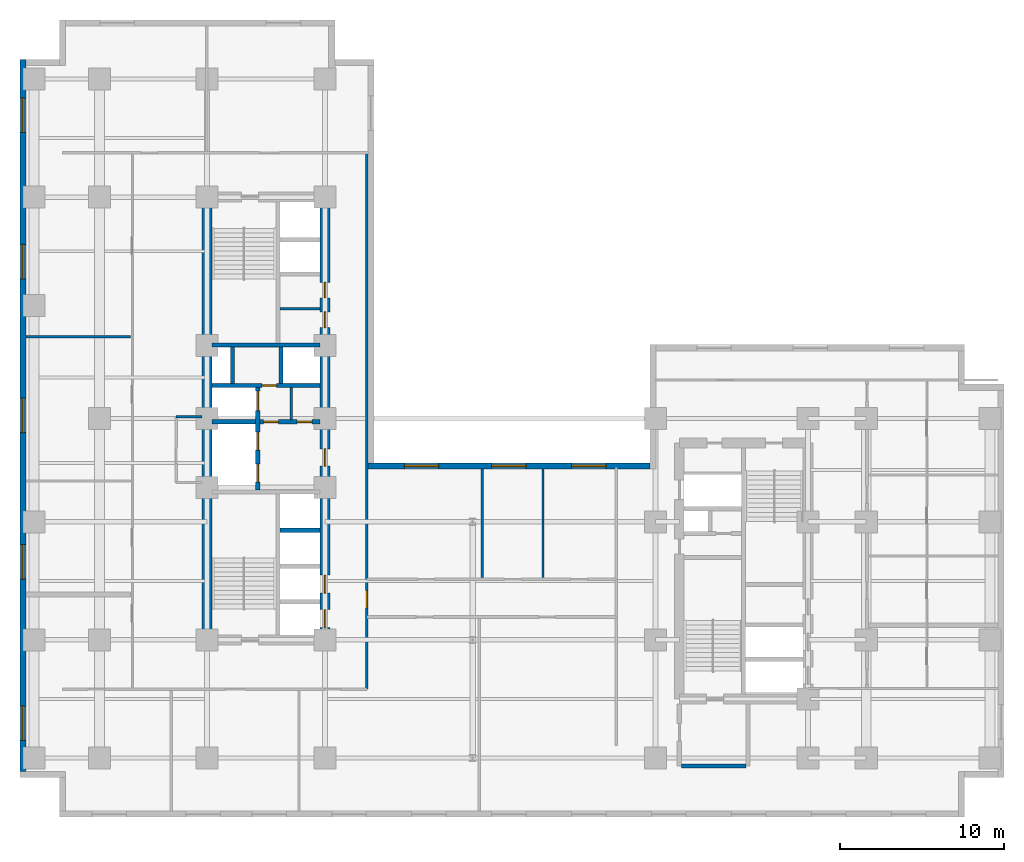
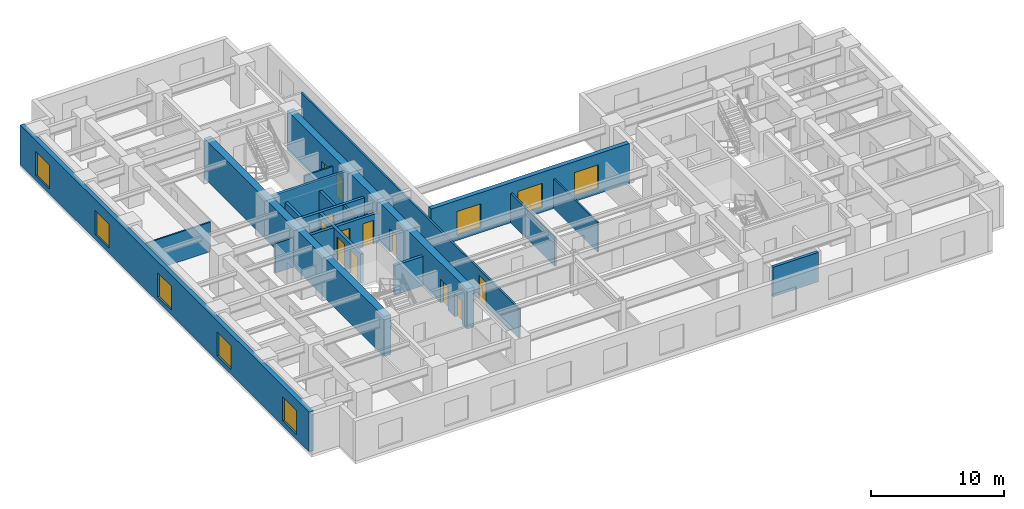
# One storey, part 4 of 10: 20 walls, 12 doors, 8 windows, 20 openings.
"""IFC4 building model written with IfcOpenShell, lengths in metres."""

from ifc_helpers import new_model, entity, si_unit, converted_unit, direction, frame, origin_with_axes, origin_2d_with_axis, place, context, subcontext, project, spatial, polyline, rectangle, outline, extrude, material, layer, layer_set, type_object, element, fill, save


model = new_model("IFC4")

# Units and contexts
model_context = context("Model", 3, precision=1e-05, world=origin_with_axes(), true_north=direction((0.0, 1.0)))
body_context = subcontext(model_context, "Body", "Model", "MODEL_VIEW")
ifc_project = project(units=[si_unit("LENGTHUNIT", "METRE"), si_unit("AREAUNIT", "SQUARE_METRE"), si_unit("VOLUMEUNIT", "CUBIC_METRE"), converted_unit("PLANEANGLEUNIT", "DEGREE", entity("IfcPlaneAngleMeasure", 0.017453292519943295), si_unit("PLANEANGLEUNIT", "RADIAN"), dimensions=[0, 0, 0, 0, 0, 0, 0]), si_unit("MASSUNIT", "GRAM", prefix="KILO"), si_unit("THERMODYNAMICTEMPERATUREUNIT", "KELVIN")], contexts=[model_context])

# Site, building, storey
site_placement = place(None, origin_with_axes())
site = spatial("IfcSite", under=ifc_project, at=site_placement, CompositionType="ELEMENT")
building_placement = place(site_placement, origin_with_axes())
building = spatial("IfcBuilding", under=site, at=building_placement, Name="Varnlund Millrace Tower", CompositionType="ELEMENT")
storey_placement = place(building_placement, frame((0.0, 0.0, 44.4), z_axis=(0.0, 0.0, 1.0), x_axis=(1.0, 0.0, 0.0)))
storey = spatial("IfcBuildingStorey", under=building, at=storey_placement, Name="L10", CompositionType="ELEMENT", Elevation=44.4)

# Wall
ifc_material_1 = material(Name="Concrete C80/95", Category="concrete")
ifc_layer_1 = layer(ifc_material_1, 0.6, Name="Concrete C80/95")
ifc_layer_set_1 = layer_set([ifc_layer_1], Name="Concrete C80/95")
wall_type_1 = type_object("IfcWallType", Name="Type-CoreWall-Shear-600-C80", PredefinedType="SHEAR", material=ifc_layer_set_1)
wall_1_placement = place(storey_placement, frame((11.4, 10.8, 0.0), z_axis=(0.0, 0.0, 1.0), x_axis=(0.0, 1.0, 0.0)))
element("IfcWall", 1, at=wall_1_placement, inside=storey, type_object=wall_type_1, Name="Type-CoreWall-Shear-600-C80", PredefinedType="SHEAR", context=body_context, shape_type="SweptSolid", body=[
    extrude(outline(polyline([(0.0, -0.3), (27.0, -0.3), (27.0, 0.3), (0.0, 0.3), (0.0, -0.3)])), origin_with_axes(), (0.0, 0.0, 1.0), 3.66),
])

# Wall, openings, doors
wall_2_placement = place(storey_placement, frame((18.6, 10.8, 0.0), z_axis=(0.0, 0.0, 1.0), x_axis=(0.0, 1.0, 0.0)))
wall_2 = element("IfcWall", 2, at=wall_2_placement, inside=storey, type_object=wall_type_1, Name="Type-CoreWall-Shear-600-C80", PredefinedType="SHEAR", context=body_context, shape_type="SweptSolid", body=[
    extrude(outline(polyline([(0.0, -0.3), (13.5, -0.3), (13.5, 0.3), (0.0, 0.3), (0.0, -0.3)])), origin_with_axes(), (0.0, 0.0, 1.0), 3.66),
])
opening_1_placement = place(wall_2_placement, frame((1.3, 0.0, 0.0), z_axis=(0.0, 0.0, 1.0), x_axis=(1.0, 0.0, 0.0)))
opening_1 = element("IfcOpeningElement", 3, at=opening_1_placement, cuts=wall_2, Name="Opening L10:LD-ELV-L1", PredefinedType="OPENING", context=body_context, shape_type="SweptSolid", body=[
    extrude(rectangle(XDim=1.1, YDim=0.62, at=origin_2d_with_axis()), origin_with_axes(), (0.0, 0.0, 1.0), 2.15),
])
opening_2_placement = place(wall_2_placement, frame((3.4, 0.0, 0.0), z_axis=(0.0, 0.0, 1.0), x_axis=(1.0, 0.0, 0.0)))
opening_2 = element("IfcOpeningElement", 4, at=opening_2_placement, cuts=wall_2, Name="Opening L10:LD-ELV-L2", PredefinedType="OPENING", context=body_context, shape_type="SweptSolid", body=[
    extrude(rectangle(XDim=1.1, YDim=0.62, at=origin_2d_with_axis()), origin_with_axes(), (0.0, 0.0, 1.0), 2.15),
])
opening_3_placement = place(wall_2_placement, frame((11.125, 0.0, 0.0), z_axis=(0.0, 0.0, 1.0), x_axis=(1.0, 0.0, 0.0)))
opening_3 = element("IfcOpeningElement", 5, at=opening_3_placement, cuts=wall_2, Name="Opening L10:DR-FFLOB-A", PredefinedType="OPENING", context=body_context, shape_type="SweptSolid", body=[
    extrude(rectangle(XDim=1.05, YDim=0.62, at=origin_2d_with_axis()), origin_with_axes(), (0.0, 0.0, 1.0), 2.15),
])
ifc_material_2 = material(Name="Smoke-barrier hollow steel fire door", Category="steel")
door_type_1 = type_object("IfcDoorType", Name="Type-FireDoor-Lobby-1050X2150", OperationType="NOTDEFINED", PredefinedType="DOOR", material=ifc_material_2)
door_1_placement = place(wall_2_placement, frame((11.125, 0.0, 0.0), z_axis=(0.0, 0.0, 1.0), x_axis=(1.0, 0.0, 0.0)))
door_1 = element("IfcDoor", 6, at=door_1_placement, inside=storey, type_object=door_type_1, Name="Type-FireDoor-Lobby-1050X2150", OperationType="SINGLE_SWING_LEFT", OverallHeight=2.15, OverallWidth=1.05, PredefinedType="DOOR", context=body_context, shape_type="SweptSolid", body=[
    extrude(rectangle(XDim=1.05, YDim=0.09, at=origin_2d_with_axis()), origin_with_axes(), (0.0, 0.0, 1.0), 2.15),
])
fill(opening_3, door_1)
ifc_material_3 = material(Name="Stainless and architectural bronze sliding landing door")
door_type_2 = type_object("IfcDoorType", Name="Type-LiftLandingDoor-1100X2150", OperationType="NOTDEFINED", PredefinedType="DOOR", material=ifc_material_3)
door_2_placement = place(wall_2_placement, frame((1.3, 0.0, 0.0), z_axis=(0.0, 0.0, 1.0), x_axis=(1.0, 0.0, 0.0)))
door_2 = element("IfcDoor", 7, at=door_2_placement, inside=storey, type_object=door_type_2, Name="Type-LiftLandingDoor-1100X2150", OperationType="SLIDING_TO_LEFT", OverallHeight=2.15, OverallWidth=1.1, PredefinedType="DOOR", context=body_context, shape_type="SweptSolid", body=[
    extrude(rectangle(XDim=1.1, YDim=0.09, at=origin_2d_with_axis()), origin_with_axes(), (0.0, 0.0, 1.0), 2.15),
])
fill(opening_1, door_2)
door_3_placement = place(wall_2_placement, frame((3.4, 0.0, 0.0), z_axis=(0.0, 0.0, 1.0), x_axis=(1.0, 0.0, 0.0)))
door_3 = element("IfcDoor", 8, at=door_3_placement, inside=storey, type_object=door_type_2, Name="Type-LiftLandingDoor-1100X2150", OperationType="SLIDING_TO_RIGHT", OverallHeight=2.15, OverallWidth=1.1, PredefinedType="DOOR", context=body_context, shape_type="SweptSolid", body=[
    extrude(rectangle(XDim=1.1, YDim=0.09, at=origin_2d_with_axis()), origin_with_axes(), (0.0, 0.0, 1.0), 2.15),
])
fill(opening_2, door_3)

wall_3_placement = place(storey_placement, frame((18.6, 24.3, 0.0), z_axis=(0.0, 0.0, 1.0), x_axis=(0.0, 1.0, 0.0)))
wall_3 = element("IfcWall", 9, at=wall_3_placement, inside=storey, type_object=wall_type_1, Name="Type-CoreWall-Shear-600-C80", PredefinedType="SHEAR", context=body_context, shape_type="SweptSolid", body=[
    extrude(outline(polyline([(0.0, -0.3), (13.5, -0.3), (13.5, 0.3), (0.0, 0.3), (0.0, -0.3)])), origin_with_axes(), (0.0, 0.0, 1.0), 3.66),
])
opening_4_placement = place(wall_3_placement, frame((6.025, 0.0, 0.0), z_axis=(0.0, 0.0, 1.0), x_axis=(1.0, 0.0, 0.0)))
opening_4 = element("IfcOpeningElement", 10, at=opening_4_placement, cuts=wall_3, Name="Opening L10:DR-CA-WC1", PredefinedType="OPENING", context=body_context, shape_type="SweptSolid", body=[
    extrude(rectangle(XDim=0.95, YDim=0.62, at=origin_2d_with_axis()), origin_with_axes(), (0.0, 0.0, 1.0), 2.15),
])
opening_5_placement = place(wall_3_placement, frame((7.825, 0.0, 0.0), z_axis=(0.0, 0.0, 1.0), x_axis=(1.0, 0.0, 0.0)))
opening_5 = element("IfcOpeningElement", 11, at=opening_5_placement, cuts=wall_3, Name="Opening L10:DR-CA-WC2", PredefinedType="OPENING", context=body_context, shape_type="SweptSolid", body=[
    extrude(rectangle(XDim=0.95, YDim=0.62, at=origin_2d_with_axis()), origin_with_axes(), (0.0, 0.0, 1.0), 2.15),
])
ifc_material_4 = material(Name="Fire-rated hollow steel core service door", Category="steel")
door_type_3 = type_object("IfcDoorType", Name="Type-FireDoor-Service-950X2150", OperationType="NOTDEFINED", PredefinedType="DOOR", material=ifc_material_4)
door_4_placement = place(wall_3_placement, frame((6.025, 0.0, 0.0), z_axis=(0.0, 0.0, 1.0), x_axis=(1.0, 0.0, 0.0)))
door_4 = element("IfcDoor", 12, at=door_4_placement, inside=storey, type_object=door_type_3, Name="Type-FireDoor-Service-950X2150", OperationType="SINGLE_SWING_RIGHT", OverallHeight=2.15, OverallWidth=0.95, PredefinedType="DOOR", context=body_context, shape_type="SweptSolid", body=[
    extrude(rectangle(XDim=0.95, YDim=0.09, at=origin_2d_with_axis()), origin_with_axes(), (0.0, 0.0, 1.0), 2.15),
])
fill(opening_4, door_4)
door_5_placement = place(wall_3_placement, frame((7.825, 0.0, 0.0), z_axis=(0.0, 0.0, 1.0), x_axis=(1.0, 0.0, 0.0)))
door_5 = element("IfcDoor", 13, at=door_5_placement, inside=storey, type_object=door_type_3, Name="Type-FireDoor-Service-950X2150", OperationType="SINGLE_SWING_RIGHT", OverallHeight=2.15, OverallWidth=0.95, PredefinedType="DOOR", context=body_context, shape_type="SweptSolid", body=[
    extrude(rectangle(XDim=0.95, YDim=0.09, at=origin_2d_with_axis()), origin_with_axes(), (0.0, 0.0, 1.0), 2.15),
])
fill(opening_5, door_5)

# Wall, openings, windows
ifc_material_5 = material(Name="Precast concrete C50/60", Category="concrete")
ifc_layer_2 = layer(ifc_material_5, 0.38, Name="Precast concrete C50/60")
ifc_layer_set_2 = layer_set([ifc_layer_2], Name="Precast concrete C50/60")
wall_type_2 = type_object("IfcWallType", Name="Type-ExtWall-Precast-Tube-380", PredefinedType="SOLIDWALL", material=ifc_layer_set_2)
wall_4_placement = place(storey_placement, frame((0.19, 2.78, 0.0), z_axis=(0.0, 0.0, 1.0), x_axis=(0.0, 1.0, 0.0)))
wall_4 = element("IfcWall", 14, at=wall_4_placement, inside=storey, type_object=wall_type_2, Name="Type-ExtWall-Precast-Tube-380", PredefinedType="SOLIDWALL", context=body_context, shape_type="SweptSolid", body=[
    extrude(outline(polyline([(0.0, -0.19), (43.42, -0.19), (43.42, 0.19), (0.0, 0.19), (0.0, -0.19)])), origin_with_axes(), (0.0, 0.0, 1.0), 3.66),
])
opening_6_placement = place(wall_4_placement, frame((2.946, 0.0, 0.45), z_axis=(0.0, 0.0, 1.0), x_axis=(1.0, 0.0, 0.0)))
opening_6 = element("IfcOpeningElement", 15, at=opening_6_placement, cuts=wall_4, Name="Opening L10:WN-16", PredefinedType="OPENING", context=body_context, shape_type="SweptSolid", body=[
    extrude(rectangle(XDim=2.1, YDim=0.4, at=origin_2d_with_axis()), origin_with_axes(), (0.0, 0.0, 1.0), 2.2),
])
opening_7_placement = place(wall_4_placement, frame((12.778, 0.0, 0.45), z_axis=(0.0, 0.0, 1.0), x_axis=(1.0, 0.0, 0.0)))
opening_7 = element("IfcOpeningElement", 16, at=opening_7_placement, cuts=wall_4, Name="Opening L10:WN-17", PredefinedType="OPENING", context=body_context, shape_type="SweptSolid", body=[
    extrude(rectangle(XDim=2.1, YDim=0.4, at=origin_2d_with_axis()), origin_with_axes(), (0.0, 0.0, 1.0), 2.2),
])
opening_8_placement = place(wall_4_placement, frame((21.71, 0.0, 0.45), z_axis=(0.0, 0.0, 1.0), x_axis=(1.0, 0.0, 0.0)))
opening_8 = element("IfcOpeningElement", 17, at=opening_8_placement, cuts=wall_4, Name="Opening L10:WN-18", PredefinedType="OPENING", context=body_context, shape_type="SweptSolid", body=[
    extrude(rectangle(XDim=2.1, YDim=0.4, at=origin_2d_with_axis()), origin_with_axes(), (0.0, 0.0, 1.0), 2.2),
])
opening_9_placement = place(wall_4_placement, frame((31.092, 0.0, 0.45), z_axis=(0.0, 0.0, 1.0), x_axis=(1.0, 0.0, 0.0)))
opening_9 = element("IfcOpeningElement", 18, at=opening_9_placement, cuts=wall_4, Name="Opening L10:WN-19", PredefinedType="OPENING", context=body_context, shape_type="SweptSolid", body=[
    extrude(rectangle(XDim=2.1, YDim=0.4, at=origin_2d_with_axis()), origin_with_axes(), (0.0, 0.0, 1.0), 2.2),
])
opening_10_placement = place(wall_4_placement, frame((40.024, 0.0, 0.45), z_axis=(0.0, 0.0, 1.0), x_axis=(1.0, 0.0, 0.0)))
opening_10 = element("IfcOpeningElement", 19, at=opening_10_placement, cuts=wall_4, Name="Opening L10:WN-20", PredefinedType="OPENING", context=body_context, shape_type="SweptSolid", body=[
    extrude(rectangle(XDim=2.1, YDim=0.4, at=origin_2d_with_axis()), origin_with_axes(), (0.0, 0.0, 1.0), 2.2),
])
ifc_material_6 = material(Name="Argon low-e triple glazing in thermally broken bronze frame", Category="glass")
window_type = type_object("IfcWindowType", Name="Type-Window-Punched-2100X2200", PartitioningType="SINGLE_PANEL", PredefinedType="WINDOW", material=ifc_material_6)
window_1_placement = place(wall_4_placement, frame((2.946, 0.0, 0.45), z_axis=(0.0, 0.0, 1.0), x_axis=(1.0, 0.0, 0.0)))
window_1 = element("IfcWindow", 20, at=window_1_placement, inside=storey, type_object=window_type, Name="Type-Window-Punched-2100X2200", OverallHeight=2.2, OverallWidth=2.1, PredefinedType="WINDOW", context=body_context, shape_type="SweptSolid", body=[
    extrude(rectangle(XDim=2.1, YDim=0.09, at=origin_2d_with_axis()), origin_with_axes(), (0.0, 0.0, 1.0), 2.2),
])
fill(opening_6, window_1)
window_2_placement = place(wall_4_placement, frame((12.778, 0.0, 0.45), z_axis=(0.0, 0.0, 1.0), x_axis=(1.0, 0.0, 0.0)))
window_2 = element("IfcWindow", 21, at=window_2_placement, inside=storey, type_object=window_type, Name="Type-Window-Punched-2100X2200", OverallHeight=2.2, OverallWidth=2.1, PredefinedType="WINDOW", context=body_context, shape_type="SweptSolid", body=[
    extrude(rectangle(XDim=2.1, YDim=0.09, at=origin_2d_with_axis()), origin_with_axes(), (0.0, 0.0, 1.0), 2.2),
])
fill(opening_7, window_2)
window_3_placement = place(wall_4_placement, frame((21.71, 0.0, 0.45), z_axis=(0.0, 0.0, 1.0), x_axis=(1.0, 0.0, 0.0)))
window_3 = element("IfcWindow", 22, at=window_3_placement, inside=storey, type_object=window_type, Name="Type-Window-Punched-2100X2200", OverallHeight=2.2, OverallWidth=2.1, PredefinedType="WINDOW", context=body_context, shape_type="SweptSolid", body=[
    extrude(rectangle(XDim=2.1, YDim=0.09, at=origin_2d_with_axis()), origin_with_axes(), (0.0, 0.0, 1.0), 2.2),
])
fill(opening_8, window_3)
window_4_placement = place(wall_4_placement, frame((31.092, 0.0, 0.45), z_axis=(0.0, 0.0, 1.0), x_axis=(1.0, 0.0, 0.0)))
window_4 = element("IfcWindow", 23, at=window_4_placement, inside=storey, type_object=window_type, Name="Type-Window-Punched-2100X2200", OverallHeight=2.2, OverallWidth=2.1, PredefinedType="WINDOW", context=body_context, shape_type="SweptSolid", body=[
    extrude(rectangle(XDim=2.1, YDim=0.09, at=origin_2d_with_axis()), origin_with_axes(), (0.0, 0.0, 1.0), 2.2),
])
fill(opening_9, window_4)
window_5_placement = place(wall_4_placement, frame((40.024, 0.0, 0.45), z_axis=(0.0, 0.0, 1.0), x_axis=(1.0, 0.0, 0.0)))
window_5 = element("IfcWindow", 24, at=window_5_placement, inside=storey, type_object=window_type, Name="Type-Window-Punched-2100X2200", OverallHeight=2.2, OverallWidth=2.1, PredefinedType="WINDOW", context=body_context, shape_type="SweptSolid", body=[
    extrude(rectangle(XDim=2.1, YDim=0.09, at=origin_2d_with_axis()), origin_with_axes(), (0.0, 0.0, 1.0), 2.2),
])
fill(opening_10, window_5)

wall_5_placement = place(storey_placement, frame((21.22, 21.41, 0.0), z_axis=(0.0, 0.0, 1.0), x_axis=(1.0, 0.0, 0.0)))
wall_5 = element("IfcWall", 25, at=wall_5_placement, inside=storey, type_object=wall_type_2, Name="Type-ExtWall-Precast-Tube-380", PredefinedType="SOLIDWALL", context=body_context, shape_type="SweptSolid", body=[
    extrude(outline(polyline([(0.0, -0.19), (17.18, -0.19), (17.18, 0.19), (0.0, 0.19), (0.0, -0.19)])), origin_with_axes(), (0.0, 0.0, 1.0), 3.66),
])
opening_11_placement = place(wall_5_placement, frame((3.263, 0.0, 0.45), z_axis=(0.0, 0.0, 1.0), x_axis=(1.0, 0.0, 0.0)))
opening_11 = element("IfcOpeningElement", 26, at=opening_11_placement, cuts=wall_5, Name="Opening L10:WN-24", PredefinedType="OPENING", context=body_context, shape_type="SweptSolid", body=[
    extrude(rectangle(XDim=2.1, YDim=0.4, at=origin_2d_with_axis()), origin_with_axes(), (0.0, 0.0, 1.0), 2.2),
])
opening_12_placement = place(wall_5_placement, frame((8.59, 0.0, 0.45), z_axis=(0.0, 0.0, 1.0), x_axis=(1.0, 0.0, 0.0)))
opening_12 = element("IfcOpeningElement", 27, at=opening_12_placement, cuts=wall_5, Name="Opening L10:WN-25", PredefinedType="OPENING", context=body_context, shape_type="SweptSolid", body=[
    extrude(rectangle(XDim=2.1, YDim=0.4, at=origin_2d_with_axis()), origin_with_axes(), (0.0, 0.0, 1.0), 2.2),
])
opening_13_placement = place(wall_5_placement, frame((13.467, 0.0, 0.45), z_axis=(0.0, 0.0, 1.0), x_axis=(1.0, 0.0, 0.0)))
opening_13 = element("IfcOpeningElement", 28, at=opening_13_placement, cuts=wall_5, Name="Opening L10:WN-26", PredefinedType="OPENING", context=body_context, shape_type="SweptSolid", body=[
    extrude(rectangle(XDim=2.1, YDim=0.4, at=origin_2d_with_axis()), origin_with_axes(), (0.0, 0.0, 1.0), 2.2),
])
window_6_placement = place(wall_5_placement, frame((3.263, 0.0, 0.45), z_axis=(0.0, 0.0, 1.0), x_axis=(1.0, 0.0, 0.0)))
window_6 = element("IfcWindow", 29, at=window_6_placement, inside=storey, type_object=window_type, Name="Type-Window-Punched-2100X2200", OverallHeight=2.2, OverallWidth=2.1, PredefinedType="WINDOW", context=body_context, shape_type="SweptSolid", body=[
    extrude(rectangle(XDim=2.1, YDim=0.09, at=origin_2d_with_axis()), origin_with_axes(), (0.0, 0.0, 1.0), 2.2),
])
fill(opening_11, window_6)
window_7_placement = place(wall_5_placement, frame((8.59, 0.0, 0.45), z_axis=(0.0, 0.0, 1.0), x_axis=(1.0, 0.0, 0.0)))
window_7 = element("IfcWindow", 30, at=window_7_placement, inside=storey, type_object=window_type, Name="Type-Window-Punched-2100X2200", OverallHeight=2.2, OverallWidth=2.1, PredefinedType="WINDOW", context=body_context, shape_type="SweptSolid", body=[
    extrude(rectangle(XDim=2.1, YDim=0.09, at=origin_2d_with_axis()), origin_with_axes(), (0.0, 0.0, 1.0), 2.2),
])
fill(opening_12, window_7)
window_8_placement = place(wall_5_placement, frame((13.467, 0.0, 0.45), z_axis=(0.0, 0.0, 1.0), x_axis=(1.0, 0.0, 0.0)))
window_8 = element("IfcWindow", 31, at=window_8_placement, inside=storey, type_object=window_type, Name="Type-Window-Punched-2100X2200", OverallHeight=2.2, OverallWidth=2.1, PredefinedType="WINDOW", context=body_context, shape_type="SweptSolid", body=[
    extrude(rectangle(XDim=2.1, YDim=0.09, at=origin_2d_with_axis()), origin_with_axes(), (0.0, 0.0, 1.0), 2.2),
])
fill(opening_13, window_8)

# Wall
ifc_material_7 = material(Name="Fire-rated gypsum board on cold-formed steel framing", Category="steel")
ifc_layer_3 = layer(ifc_material_7, 0.16, Name="Fire-rated gypsum board on cold-formed steel framing")
ifc_layer_set_3 = layer_set([ifc_layer_3], Name="Fire-rated gypsum board on cold-formed steel framing")
wall_type_3 = type_object("IfcWallType", Name="Type-Partition-Corridor-160", PredefinedType="PARTITIONING", material=ifc_layer_set_3)
wall_6_placement = place(storey_placement, frame((16.55, 24.22, 0.0), z_axis=(0.0, 0.0, 1.0), x_axis=(0.0, 1.0, 0.0)))
element("IfcWall", 32, at=wall_6_placement, inside=storey, type_object=wall_type_3, Name="Type-Partition-Corridor-160", PredefinedType="PARTITIONING", context=body_context, shape_type="SweptSolid", body=[
    extrude(outline(polyline([(0.0, -0.08), (1.98, -0.08), (1.98, 0.08), (0.0, 0.08), (0.0, -0.08)])), origin_with_axes(), (0.0, 0.0, 1.0), 2.7),
])

# Wall, opening, door
wall_7_placement = place(storey_placement, frame((21.15, 7.8, 0.0), z_axis=(0.0, 0.0, 1.0), x_axis=(0.0, 1.0, 0.0)))
wall_7 = element("IfcWall", 33, at=wall_7_placement, inside=storey, type_object=wall_type_3, Name="Type-Partition-Corridor-160", PredefinedType="PARTITIONING", context=body_context, shape_type="SweptSolid", body=[
    extrude(outline(polyline([(0.0, -0.08), (32.7, -0.08), (32.7, 0.08), (0.0, 0.08), (0.0, -0.08)])), origin_with_axes(), (0.0, 0.0, 1.0), 2.7),
])
opening_14_placement = place(wall_7_placement, frame((5.475, 0.0, 0.0), z_axis=(0.0, 0.0, 1.0), x_axis=(1.0, 0.0, 0.0)))
opening_14 = element("IfcOpeningElement", 34, at=opening_14_placement, cuts=wall_7, Name="Opening L10:DR-KN-W", PredefinedType="OPENING", context=body_context, shape_type="SweptSolid", body=[
    extrude(rectangle(XDim=1.05, YDim=0.18, at=origin_2d_with_axis()), origin_with_axes(), (0.0, 0.0, 1.0), 2.15),
])
door_6_placement = place(wall_7_placement, frame((5.475, 0.0, 0.0), z_axis=(0.0, 0.0, 1.0), x_axis=(1.0, 0.0, 0.0)))
door_6 = element("IfcDoor", 35, at=door_6_placement, inside=storey, type_object=door_type_1, Name="Type-FireDoor-Lobby-1050X2150", OperationType="SINGLE_SWING_LEFT", OverallHeight=2.15, OverallWidth=1.05, PredefinedType="DOOR", context=body_context, shape_type="SweptSolid", body=[
    extrude(rectangle(XDim=1.05, YDim=0.09, at=origin_2d_with_axis()), origin_with_axes(), (0.0, 0.0, 1.0), 2.15),
])
fill(opening_14, door_6)

# Walls
ifc_material_8 = material(Name="Acoustic STC-50 gypsum board partition", Category="gypsum")
ifc_layer_4 = layer(ifc_material_8, 0.15, Name="Acoustic STC-50 gypsum board partition")
ifc_layer_set_4 = layer_set([ifc_layer_4], Name="Acoustic STC-50 gypsum board partition")
wall_type_4 = type_object("IfcWallType", Name="Type-Partition-Demising-150", PredefinedType="PARTITIONING", material=ifc_layer_set_4)
wall_8_placement = place(storey_placement, frame((28.184, 14.62, 0.0), z_axis=(0.0, 0.0, 1.0), x_axis=(0.0, 1.0, 0.0)))
element("IfcWall", 36, at=wall_8_placement, inside=storey, type_object=wall_type_4, Name="Type-Partition-Demising-150", PredefinedType="PARTITIONING", context=body_context, shape_type="SweptSolid", body=[
    extrude(outline(polyline([(0.0, -0.075), (6.605, -0.075), (6.605, 0.075), (0.0, 0.075), (0.0, -0.075)])), origin_with_axes(), (0.0, 0.0, 1.0), 2.7),
])
ifc_material_9 = material(Name="Gypsum board tenant partition", Category="gypsum")
ifc_layer_5 = layer(ifc_material_9, 0.125, Name="Gypsum board tenant partition")
ifc_layer_set_5 = layer_set([ifc_layer_5], Name="Gypsum board tenant partition")
wall_type_5 = type_object("IfcWallType", Name="Type-Partition-Tenant-125", PredefinedType="PARTITIONING", material=ifc_layer_set_5)
wall_9_placement = place(storey_placement, frame((0.375, 29.287, 0.0), z_axis=(0.0, 0.0, 1.0), x_axis=(1.0, 0.0, 0.0)))
element("IfcWall", 37, at=wall_9_placement, inside=storey, type_object=wall_type_5, Name="Type-Partition-Tenant-125", PredefinedType="PARTITIONING", context=body_context, shape_type="SweptSolid", body=[
    extrude(outline(polyline([(0.0, -0.0625), (6.355, -0.0625), (6.355, 0.0625), (0.0, 0.0625), (0.0, -0.0625)])), origin_with_axes(), (0.0, 0.0, 1.0), 2.7),
])
wall_10_placement = place(storey_placement, frame((31.896, 14.62, 0.0), z_axis=(0.0, 0.0, 1.0), x_axis=(0.0, 1.0, 0.0)))
element("IfcWall", 38, at=wall_10_placement, inside=storey, type_object=wall_type_5, Name="Type-Partition-Tenant-125", PredefinedType="PARTITIONING", context=body_context, shape_type="SweptSolid", body=[
    extrude(outline(polyline([(0.0, -0.0625), (6.605, -0.0625), (6.605, 0.0625), (0.0, 0.0625), (0.0, -0.0625)])), origin_with_axes(), (0.0, 0.0, 1.0), 2.7),
])
ifc_material_10 = material(Name="Moisture-resistant gypsum restroom partition", Category="gypsum")
ifc_layer_6 = layer(ifc_material_10, 0.14, Name="Moisture-resistant gypsum restroom partition")
ifc_layer_set_6 = layer_set([ifc_layer_6], Name="Moisture-resistant gypsum restroom partition")
wall_type_6 = type_object("IfcWallType", Name="Type-Partition-Wet-140", PredefinedType="PARTITIONING", material=ifc_layer_set_6)
wall_11_placement = place(storey_placement, frame((15.84, 31.0, 0.0), z_axis=(0.0, 0.0, 1.0), x_axis=(1.0, 0.0, 0.0)))
element("IfcWall", 39, at=wall_11_placement, inside=storey, type_object=wall_type_6, Name="Type-Partition-Wet-140", PredefinedType="PARTITIONING", context=body_context, shape_type="SweptSolid", body=[
    extrude(outline(polyline([(0.0, -0.07), (2.46, -0.07), (2.46, 0.07), (0.0, 0.07), (0.0, -0.07)])), origin_with_axes(), (0.0, 0.0, 1.0), 2.7),
])
wall_12_placement = place(storey_placement, frame((9.52, 24.4, 0.0), z_axis=(0.0, 0.0, 1.0), x_axis=(1.0, 0.0, 0.0)))
element("IfcWall", 40, at=wall_12_placement, inside=storey, type_object=wall_type_6, Name="Type-Partition-Wet-140", PredefinedType="PARTITIONING", context=body_context, shape_type="SweptSolid", body=[
    extrude(outline(polyline([(0.0, -0.07), (1.58, -0.07), (1.58, 0.07), (0.0, 0.07), (0.0, -0.07)])), origin_with_axes(), (0.0, 0.0, 1.0), 2.7),
])

# Wall, openings, doors
ifc_material_11 = material(Name="Concrete C60/75", Category="concrete")
ifc_layer_7 = layer(ifc_material_11, 0.25, Name="Concrete C60/75")
ifc_layer_set_7 = layer_set([ifc_layer_7], Name="Concrete C60/75")
wall_type_7 = type_object("IfcWallType", Name="Type-ShaftWall-Fire-250", PredefinedType="SOLIDWALL", material=ifc_layer_set_7)
wall_13_placement = place(storey_placement, frame((14.5, 19.95, 0.0), z_axis=(0.0, 0.0, 1.0), x_axis=(0.0, 1.0, 0.0)))
wall_13 = element("IfcWall", 41, at=wall_13_placement, inside=storey, type_object=wall_type_7, Name="Type-ShaftWall-Fire-250", PredefinedType="SOLIDWALL", context=body_context, shape_type="SweptSolid", body=[
    extrude(outline(polyline([(0.0, -0.125), (6.25, -0.125), (6.25, 0.125), (0.0, 0.125), (0.0, -0.125)])), origin_with_axes(), (0.0, 0.0, 1.0), 2.7),
])
opening_15_placement = place(wall_13_placement, frame((1.025, 0.0, 0.0), z_axis=(0.0, 0.0, 1.0), x_axis=(1.0, 0.0, 0.0)))
opening_15 = element("IfcOpeningElement", 42, at=opening_15_placement, cuts=wall_13, Name="Opening L10:LD-FSAE1", PredefinedType="OPENING", context=body_context, shape_type="SweptSolid", body=[
    extrude(rectangle(XDim=1.1, YDim=0.27, at=origin_2d_with_axis()), origin_with_axes(), (0.0, 0.0, 1.0), 2.15),
])
opening_16_placement = place(wall_13_placement, frame((2.975, 0.0, 0.0), z_axis=(0.0, 0.0, 1.0), x_axis=(1.0, 0.0, 0.0)))
opening_16 = element("IfcOpeningElement", 43, at=opening_16_placement, cuts=wall_13, Name="Opening L10:LD-FSAE2", PredefinedType="OPENING", context=body_context, shape_type="SweptSolid", body=[
    extrude(rectangle(XDim=1.1, YDim=0.27, at=origin_2d_with_axis()), origin_with_axes(), (0.0, 0.0, 1.0), 2.15),
])
opening_17_placement = place(wall_13_placement, frame((5.425, 0.0, 0.0), z_axis=(0.0, 0.0, 1.0), x_axis=(1.0, 0.0, 0.0)))
opening_17 = element("IfcOpeningElement", 44, at=opening_17_placement, cuts=wall_13, Name="Opening L10:LD-SRV1", PredefinedType="OPENING", context=body_context, shape_type="SweptSolid", body=[
    extrude(rectangle(XDim=1.2, YDim=0.27, at=origin_2d_with_axis()), origin_with_axes(), (0.0, 0.0, 1.0), 2.15),
])
door_7_placement = place(wall_13_placement, frame((1.025, 0.0, 0.0), z_axis=(0.0, 0.0, 1.0), x_axis=(1.0, 0.0, 0.0)))
door_7 = element("IfcDoor", 45, at=door_7_placement, inside=storey, type_object=door_type_2, Name="Type-LiftLandingDoor-1100X2150", OperationType="SLIDING_TO_LEFT", OverallHeight=2.15, OverallWidth=1.1, PredefinedType="DOOR", context=body_context, shape_type="SweptSolid", body=[
    extrude(rectangle(XDim=1.1, YDim=0.09, at=origin_2d_with_axis()), origin_with_axes(), (0.0, 0.0, 1.0), 2.15),
])
fill(opening_15, door_7)
door_8_placement = place(wall_13_placement, frame((2.975, 0.0, 0.0), z_axis=(0.0, 0.0, 1.0), x_axis=(1.0, 0.0, 0.0)))
door_8 = element("IfcDoor", 46, at=door_8_placement, inside=storey, type_object=door_type_2, Name="Type-LiftLandingDoor-1100X2150", OperationType="SLIDING_TO_RIGHT", OverallHeight=2.15, OverallWidth=1.1, PredefinedType="DOOR", context=body_context, shape_type="SweptSolid", body=[
    extrude(rectangle(XDim=1.1, YDim=0.09, at=origin_2d_with_axis()), origin_with_axes(), (0.0, 0.0, 1.0), 2.15),
])
fill(opening_16, door_8)
ifc_material_12 = material(Name="Heavy-duty freight sliding landing door")
door_type_4 = type_object("IfcDoorType", Name="Type-LiftLandingDoor-Service-1200X2150", OperationType="NOTDEFINED", PredefinedType="DOOR", material=ifc_material_12)
door_9_placement = place(wall_13_placement, frame((5.425, 0.0, 0.0), z_axis=(0.0, 0.0, 1.0), x_axis=(1.0, 0.0, 0.0)))
door_9 = element("IfcDoor", 47, at=door_9_placement, inside=storey, type_object=door_type_4, Name="Type-LiftLandingDoor-Service-1200X2150", OperationType="DOUBLE_DOOR_SLIDING", OverallHeight=2.15, OverallWidth=1.2, PredefinedType="DOOR", context=body_context, shape_type="SweptSolid", body=[
    extrude(rectangle(XDim=1.2, YDim=0.09, at=origin_2d_with_axis()), origin_with_axes(), (0.0, 0.0, 1.0), 2.15),
])
fill(opening_17, door_9)

wall_14_placement = place(storey_placement, frame((11.7, 24.1, 0.0), z_axis=(0.0, 0.0, 1.0), x_axis=(1.0, 0.0, 0.0)))
wall_14 = element("IfcWall", 48, at=wall_14_placement, inside=storey, type_object=wall_type_7, Name="Type-ShaftWall-Fire-250", PredefinedType="SOLIDWALL", context=body_context, shape_type="SweptSolid", body=[
    extrude(outline(polyline([(0.0, -0.125), (6.6, -0.125), (6.6, 0.125), (0.0, 0.125), (0.0, -0.125)])), origin_with_axes(), (0.0, 0.0, 1.0), 2.7),
])
opening_18_placement = place(wall_14_placement, frame((3.6, 0.0, 0.0), z_axis=(0.0, 0.0, 1.0), x_axis=(1.0, 0.0, 0.0)))
opening_18 = element("IfcOpeningElement", 49, at=opening_18_placement, cuts=wall_14, Name="Opening L10:DR-CA-SUB1", PredefinedType="OPENING", context=body_context, shape_type="SweptSolid", body=[
    extrude(rectangle(XDim=0.9, YDim=0.27, at=origin_2d_with_axis()), origin_with_axes(), (0.0, 0.0, 1.0), 2.15),
])
opening_19_placement = place(wall_14_placement, frame((5.65, 0.0, 0.0), z_axis=(0.0, 0.0, 1.0), x_axis=(1.0, 0.0, 0.0)))
opening_19 = element("IfcOpeningElement", 50, at=opening_19_placement, cuts=wall_14, Name="Opening L10:DR-CA-SUB2", PredefinedType="OPENING", context=body_context, shape_type="SweptSolid", body=[
    extrude(rectangle(XDim=0.9, YDim=0.27, at=origin_2d_with_axis()), origin_with_axes(), (0.0, 0.0, 1.0), 2.15),
])
ifc_material_13 = material(Name="Fire-rated hollow steel service closet door", Category="steel")
door_type_5 = type_object("IfcDoorType", Name="Type-FireDoor-Closet-900X2150", OperationType="NOTDEFINED", PredefinedType="DOOR", material=ifc_material_13)
door_10_placement = place(wall_14_placement, frame((3.6, 0.0, 0.0), z_axis=(0.0, 0.0, 1.0), x_axis=(1.0, 0.0, 0.0)))
door_10 = element("IfcDoor", 51, at=door_10_placement, inside=storey, type_object=door_type_5, Name="Type-FireDoor-Closet-900X2150", OperationType="SINGLE_SWING_LEFT", OverallHeight=2.15, OverallWidth=0.9, PredefinedType="DOOR", context=body_context, shape_type="SweptSolid", body=[
    extrude(rectangle(XDim=0.9, YDim=0.09, at=origin_2d_with_axis()), origin_with_axes(), (0.0, 0.0, 1.0), 2.15),
])
fill(opening_18, door_10)
door_11_placement = place(wall_14_placement, frame((5.65, 0.0, 0.0), z_axis=(0.0, 0.0, 1.0), x_axis=(1.0, 0.0, 0.0)))
door_11 = element("IfcDoor", 52, at=door_11_placement, inside=storey, type_object=door_type_5, Name="Type-FireDoor-Closet-900X2150", OperationType="SINGLE_SWING_LEFT", OverallHeight=2.15, OverallWidth=0.9, PredefinedType="DOOR", context=body_context, shape_type="SweptSolid", body=[
    extrude(rectangle(XDim=0.9, YDim=0.09, at=origin_2d_with_axis()), origin_with_axes(), (0.0, 0.0, 1.0), 2.15),
])
fill(opening_19, door_11)

# Wall, opening, door
wall_15_placement = place(storey_placement, frame((11.7, 26.325, 0.0), z_axis=(0.0, 0.0, 1.0), x_axis=(1.0, 0.0, 0.0)))
wall_15 = element("IfcWall", 53, at=wall_15_placement, inside=storey, type_object=wall_type_7, Name="Type-ShaftWall-Fire-250", PredefinedType="SOLIDWALL", context=body_context, shape_type="SweptSolid", body=[
    extrude(outline(polyline([(0.0, -0.125), (6.6, -0.125), (6.6, 0.125), (0.0, 0.125), (0.0, -0.125)])), origin_with_axes(), (0.0, 0.0, 1.0), 2.7),
])
opening_20_placement = place(wall_15_placement, frame((3.5, 0.0, 0.0), z_axis=(0.0, 0.0, 1.0), x_axis=(1.0, 0.0, 0.0)))
opening_20 = element("IfcOpeningElement", 54, at=opening_20_placement, cuts=wall_15, Name="Opening L10:DR-CA-ELC", PredefinedType="OPENING", context=body_context, shape_type="SweptSolid", body=[
    extrude(rectangle(XDim=0.9, YDim=0.27, at=origin_2d_with_axis()), origin_with_axes(), (0.0, 0.0, 1.0), 2.15),
])
door_12_placement = place(wall_15_placement, frame((3.5, 0.0, 0.0), z_axis=(0.0, 0.0, 1.0), x_axis=(1.0, 0.0, 0.0)))
door_12 = element("IfcDoor", 55, at=door_12_placement, inside=storey, type_object=door_type_5, Name="Type-FireDoor-Closet-900X2150", OperationType="SINGLE_SWING_LEFT", OverallHeight=2.15, OverallWidth=0.9, PredefinedType="DOOR", context=body_context, shape_type="SweptSolid", body=[
    extrude(rectangle(XDim=0.9, YDim=0.09, at=origin_2d_with_axis()), origin_with_axes(), (0.0, 0.0, 1.0), 2.15),
])
fill(opening_20, door_12)

# Walls
for number, where, z_axis, x_axis, name in (
    (56, (12.96, 26.45, 0.0), (0.0, 0.0, 1.0), (0.0, 1.0, 0.0), "Type-ShaftWall-Fire-250"),
    (57, (15.925, 26.45, 0.0), (0.0, 0.0, 1.0), (0.0, 1.0, 0.0), "Type-ShaftWall-Fire-250"),
):
    element("IfcWall", number, at=place(storey_placement, frame(where, z_axis=z_axis, x_axis=x_axis)), inside=storey, type_object=wall_type_7, Name=name, PredefinedType="SOLIDWALL", context=body_context, shape_type="SweptSolid", body=[
        extrude(outline(polyline([(0.0, -0.125), (2.2, -0.125), (2.2, 0.125), (0.0, 0.125), (0.0, -0.125)])), origin_with_axes(), (0.0, 0.0, 1.0), 2.7),
    ])
wall_16_placement = place(storey_placement, frame((40.325, 3.1, 0.0), z_axis=(0.0, 0.0, 1.0), x_axis=(1.0, 0.0, 0.0)))
element("IfcWall", 58, at=wall_16_placement, inside=storey, type_object=wall_type_7, Name="Type-ShaftWall-Fire-250", PredefinedType="SOLIDWALL", context=body_context, shape_type="SweptSolid", body=[
    extrude(outline(polyline([(0.0, -0.125), (3.95, -0.125), (3.95, 0.125), (0.0, 0.125), (0.0, -0.125)])), origin_with_axes(), (0.0, 0.0, 1.0), 2.7),
])
wall_17_placement = place(storey_placement, frame((15.84, 17.49, 0.0), z_axis=(0.0, 0.0, 1.0), x_axis=(1.0, 0.0, 0.0)))
element("IfcWall", 59, at=wall_17_placement, inside=storey, type_object=wall_type_7, Name="Type-ShaftWall-Fire-250", PredefinedType="SOLIDWALL", context=body_context, shape_type="SweptSolid", body=[
    extrude(outline(polyline([(0.0, -0.125), (2.46, -0.125), (2.46, 0.125), (0.0, 0.125), (0.0, -0.125)])), origin_with_axes(), (0.0, 0.0, 1.0), 2.7),
])
wall_type_8 = type_object("IfcWallType", Name="Type-StairWall-Shear-250", PredefinedType="SHEAR", material=ifc_layer_set_7)
wall_18_placement = place(storey_placement, frame((11.7, 28.775, 0.0), z_axis=(0.0, 0.0, 1.0), x_axis=(1.0, 0.0, 0.0)))
element("IfcWall", 60, at=wall_18_placement, inside=storey, type_object=wall_type_8, Name="Type-StairWall-Shear-250", PredefinedType="SHEAR", context=body_context, shape_type="SweptSolid", body=[
    extrude(outline(polyline([(0.0, -0.125), (6.6, -0.125), (6.6, 0.125), (0.0, 0.125), (0.0, -0.125)])), origin_with_axes(), (0.0, 0.0, 1.0), 3.66),
])

save(model, "model.ifc")
